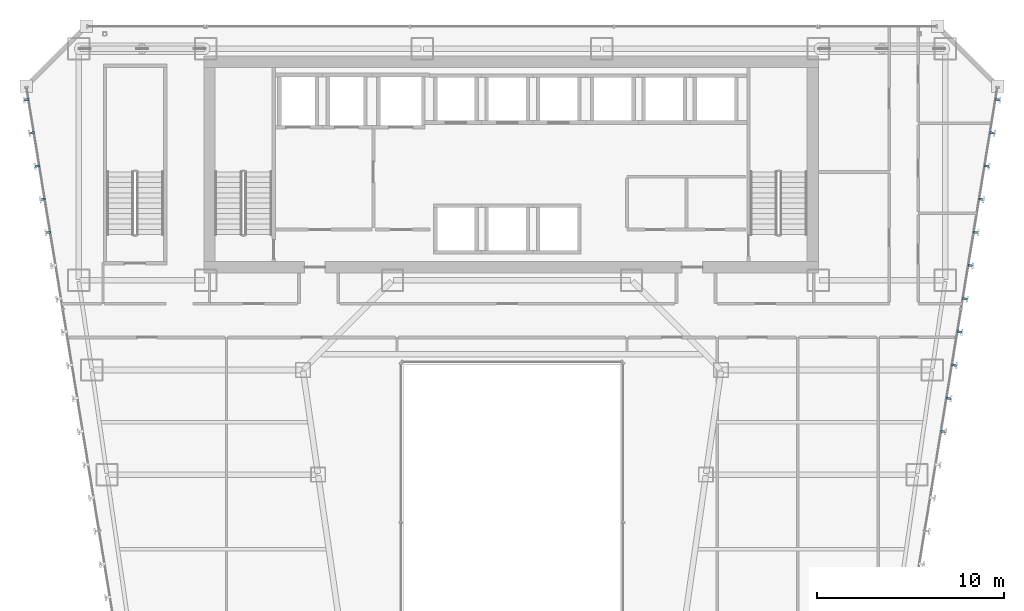
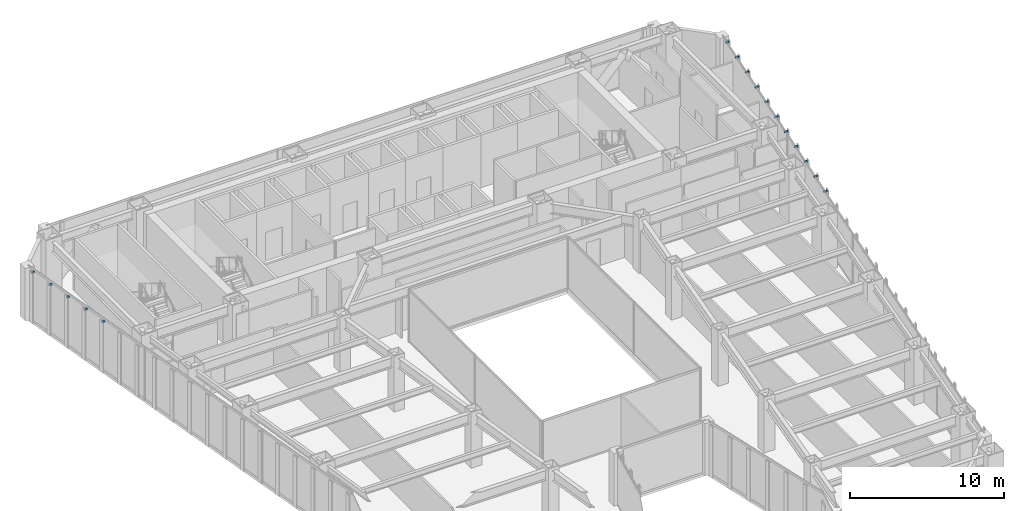
# One storey, part 40 of 47: 16 discrete accessories.
"""IFC4 building model written with IfcOpenShell, lengths in metres."""

from ifc_helpers import new_model, si_unit, direction, frame, origin, origin_2d, place, context, subcontext, project, spatial, rectangle, extrude, material, layer, layer_set, type_object, element, save


model = new_model("IFC4")

# Units and contexts
model_context = context("Model", 3, precision=1e-05, world=origin(), true_north=direction((0.0, 1.0)))
body_context = subcontext(model_context, "Body", "Model", "MODEL_VIEW")
ifc_project = project(units=[si_unit("LENGTHUNIT", "METRE"), si_unit("AREAUNIT", "SQUARE_METRE"), si_unit("VOLUMEUNIT", "CUBIC_METRE"), si_unit("PLANEANGLEUNIT", "RADIAN"), si_unit("MASSUNIT", "GRAM", prefix="KILO")], contexts=[model_context])

# Site, building, storey
site_placement = place(None, origin())
site = spatial("IfcSite", under=ifc_project, at=site_placement, CompositionType="ELEMENT")
building_placement = place(site_placement, origin())
building = spatial("IfcBuilding", under=site, at=building_placement, Name="Saevonmaru Cultural Tower", CompositionType="ELEMENT")
storey_placement = place(building_placement, frame((0.0, 0.0, 64.800048828125)))
storey = spatial("IfcBuildingStorey", under=building, at=storey_placement, Name="L13", CompositionType="ELEMENT", Elevation=64.800048828125)

# Discrete accessories
ifc_material = material(Name="Stainless Steel 316", Category="steel")
ifc_layer = layer(ifc_material, 0.1201171875, Name="Stainless Steel 316")
ifc_layer_set = layer_set([ifc_layer], Name="Stainless Steel 316")
discrete_accessory_type = type_object("IfcDiscreteAccessoryType", Name="ACC-FIN-BRKT", PredefinedType="BRACKET", material=ifc_layer_set)
for number, where, z_axis, x_axis, name in (
    (1, (53.081787109375, 34.31103515625, 3.929931640625), (0.0, 0.0, 1.0), (0.986827496189, -0.161776057456, 0.0), "L13 Bronze Fin Bracket E8-17"),
    (2, (53.372802734375, 36.08740234375, 3.929931640625), (0.0, 0.0, 1.0), (0.986827496189, -0.161776057456, 0.0), "L13 Bronze Fin Bracket E8-18"),
    (3, (53.663818359375, 37.86376953125, 3.929931640625), (0.0, 0.0, 1.0), (0.986827496189, -0.161776057456, 0.0), "L13 Bronze Fin Bracket E8-19"),
    (4, (53.955078125, 39.64013671875, 3.929931640625), (0.0, 0.0, 1.0), (0.986827496189, -0.161776057456, 0.0), "L13 Bronze Fin Bracket E8-20"),
    (5, (54.24609375, 41.41650390625, 3.929931640625), (0.0, 0.0, 1.0), (0.986827496189, -0.161776057456, 0.0), "L13 Bronze Fin Bracket E8-21"),
    (6, (54.537109375, 43.192626953125, 3.929931640625), (0.0, 0.0, 1.0), (0.986827496189, -0.161776057456, 0.0), "L13 Bronze Fin Bracket E8-22"),
    (7, (54.828125, 44.968994140625, 3.929931640625), (0.0, 0.0, 1.0), (0.986827496189, -0.161776057456, 0.0), "L13 Bronze Fin Bracket E8-23"),
    (8, (55.119384765625, 46.745361328125, 3.929931640625), (0.0, 0.0, 1.0), (0.986827496189, -0.161776057456, 0.0), "L13 Bronze Fin Bracket E8-24"),
    (9, (55.410400390625, 48.521484375, 3.929931640625), (0.0, 0.0, 1.0), (0.986827496189, -0.161776057456, 0.0), "L13 Bronze Fin Bracket E8-25"),
    (10, (55.701416015625, 50.2978515625, 3.929931640625), (0.0, 0.0, 1.0), (0.986827496189, -0.161776057456, 0.0), "L13 Bronze Fin Bracket E8-26"),
    (11, (55.992431640625, 52.07421875, 3.929931640625), (0.0, 0.0, 1.0), (0.986827496189, -0.161776057456, 0.0), "L13 Bronze Fin Bracket E8-27"),
    (12, (4.007568359375, 52.07421875, 3.929931640625), (0.0, 0.0, 1.0), (-0.986827496189, -0.161776057456, 0.0), "L13 Bronze Fin Bracket E12-01"),
    (13, (4.298583984375, 50.2978515625, 3.929931640625), (0.0, 0.0, 1.0), (-0.986827496189, -0.161776057456, 0.0), "L13 Bronze Fin Bracket E12-02"),
    (14, (4.589599609375, 48.521484375, 3.929931640625), (0.0, 0.0, 1.0), (-0.986827496189, -0.161776057456, 0.0), "L13 Bronze Fin Bracket E12-03"),
    (15, (4.880615234375, 46.745361328125, 3.929931640625), (0.0, 0.0, 1.0), (-0.986827496189, -0.161776057456, 0.0), "L13 Bronze Fin Bracket E12-04"),
    (16, (5.171875, 44.968994140625, 3.929931640625), (0.0, 0.0, 1.0), (-0.986827496189, -0.161776057456, 0.0), "L13 Bronze Fin Bracket E12-05"),
):
    element("IfcDiscreteAccessory", number, at=place(storey_placement, frame(where, z_axis=z_axis, x_axis=x_axis)), inside=storey, type_object=discrete_accessory_type, Name=name, PredefinedType="BRACKET", context=body_context, shape_type="SweptSolid", body=[
        extrude(rectangle(XDim=0.260009765625, YDim=0.1201171875, at=origin_2d()), origin(), (0.0, 0.0, 1.0), 0.1201171875),
    ])

save(model, "model.ifc")
